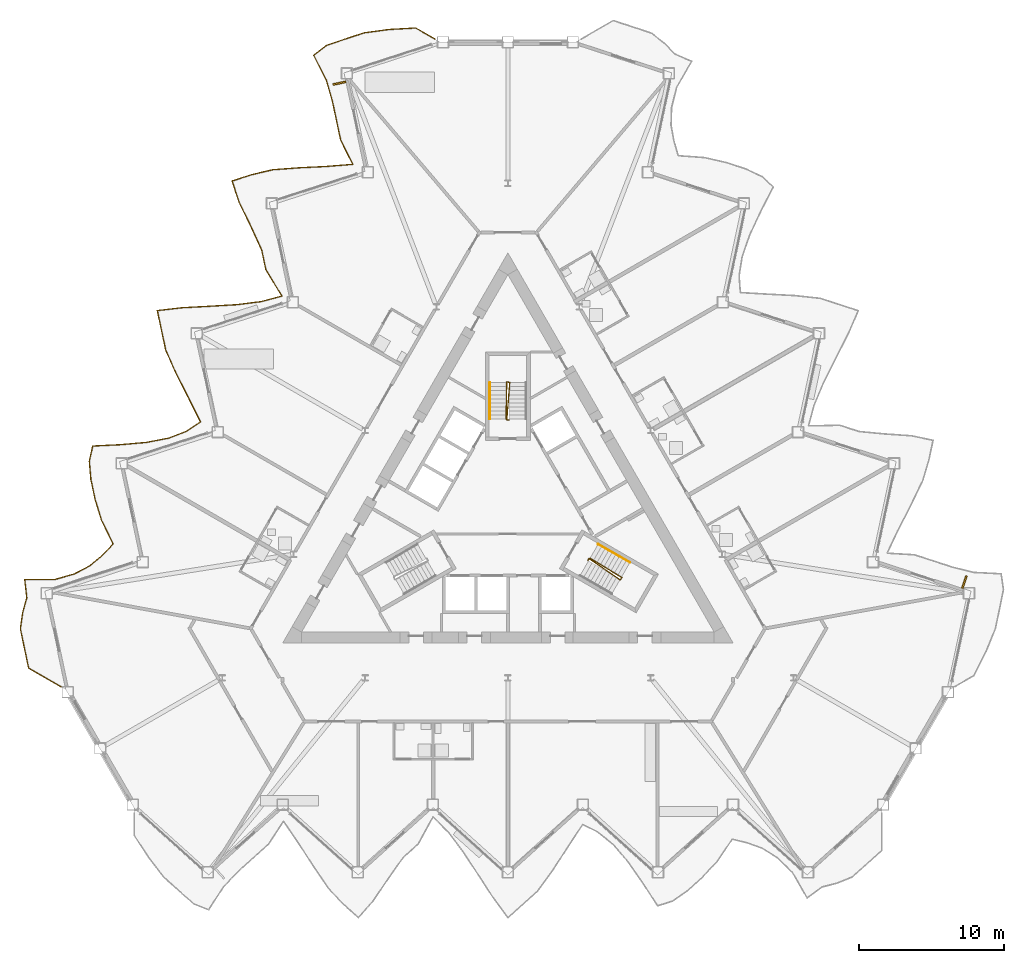
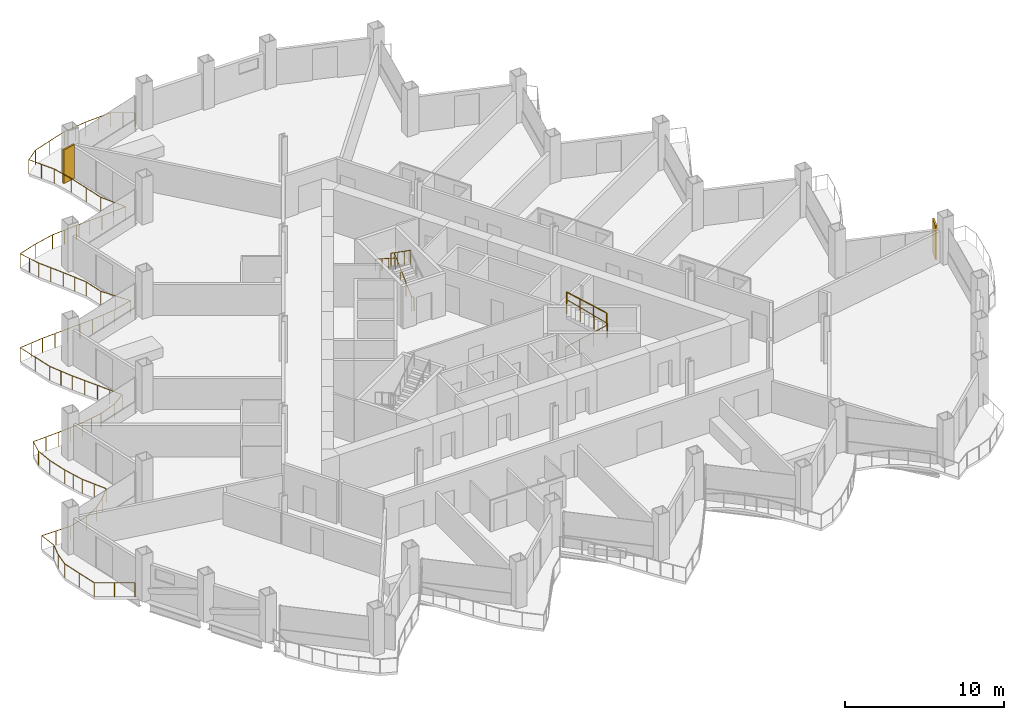
# One storey, part 21 of 24: 5 railings, 2 shading devices.
"""IFC4 building model written with IfcOpenShell, lengths in metres."""

from ifc_helpers import new_model, si_unit, direction, frame, origin, origin_2d, place, context, subcontext, project, spatial, rectangle, circle, extrude, material, layer, layer_set, type_object, element, save


model = new_model("IFC4")

# Units and contexts
model_context = context("Model", 3, precision=1e-05, world=origin(), true_north=direction((0.0, 1.0)))
body_context = subcontext(model_context, "Body", "Model", "MODEL_VIEW")
ifc_project = project(units=[si_unit("LENGTHUNIT", "METRE"), si_unit("AREAUNIT", "SQUARE_METRE"), si_unit("VOLUMEUNIT", "CUBIC_METRE"), si_unit("PLANEANGLEUNIT", "RADIAN"), si_unit("MASSUNIT", "GRAM", prefix="KILO")], contexts=[model_context])

# Site, building, storey
site_placement = place(None, origin())
site = spatial("IfcSite", under=ifc_project, at=site_placement, CompositionType="ELEMENT")
building_placement = place(site_placement, origin())
building = spatial("IfcBuilding", under=site, at=building_placement, Name="Cormorant Prow Tower", CompositionType="ELEMENT")
storey_placement = place(building_placement, frame((0.0, 0.0, 205.199951171875)))
storey = spatial("IfcBuildingStorey", under=building, at=storey_placement, Name="L45", CompositionType="ELEMENT", Elevation=205.199951171875)

# Railings
ifc_material_1 = material(Name="Aluminium 6063-T6", Category="aluminium")
railing_type_1 = type_object("IfcRailingType", Name="Balcony guard 1100", PredefinedType="GUARDRAIL", material=ifc_material_1)
railing_1_placement = place(storey_placement, frame((-5.02197265625, 32.62158203125, 0.0)))
element("IfcRailing", 1, at=railing_1_placement, inside=storey, type_object=railing_type_1, Name="Balcony guard WNW", PredefinedType="GUARDRAIL", context=body_context, shape_type="SweptSolid", body=[
    extrude(circle(Radius=0.02392578125, at=origin_2d()), frame((0.0, 0.0, 1.076171875), z_axis=(-0.866030456496, 0.499991248344, 0.0), x_axis=(-0.499991248344, -0.866030456496, 0.0)), (0.0, 0.0, 1.0), 1.52001953125),
    extrude(circle(Radius=0.02392578125, at=origin_2d()), frame((-1.31640625, 0.760009765625, 1.076171875), z_axis=(-0.9984555567, -0.055556289426, 0.0), x_axis=(0.055556289426, -0.9984555567, 0.0)), (0.0, 0.0, 1.0), 1.880859375),
    extrude(circle(Radius=0.02392578125, at=origin_2d()), frame((-3.1943359375, 0.655517578125, 1.076171875), z_axis=(-0.99086810661, -0.134834696212, 0.0), x_axis=(0.134834696212, -0.99086810661, 0.0)), (0.0, 0.0, 1.0), 1.68212890625),
    extrude(circle(Radius=0.02392578125, at=origin_2d()), frame((-4.861083984375, 0.4287109375, 1.076171875), z_axis=(-0.951087151367, -0.308922693412, 0.0), x_axis=(0.308922693412, -0.951087151367, 0.0)), (0.0, 0.0, 1.0), 1.385498046875),
    extrude(circle(Radius=0.02392578125, at=origin_2d()), frame((-6.1787109375, 0.000732421875, 1.076171875), z_axis=(-0.947266720756, -0.320446188537, 0.0), x_axis=(0.320446188537, -0.947266720756, 0.0)), (0.0, 0.0, 1.0), 1.37060546875),
    extrude(circle(Radius=0.02392578125, at=origin_2d()), frame((-7.47705078125, -0.4384765625, 1.076171875), z_axis=(-0.785147655602, -0.619308613619, 0.0), x_axis=(0.619308613619, -0.785147655602, 0.0)), (0.0, 0.0, 1.0), 1.108642578125),
    extrude(circle(Radius=0.02392578125, at=origin_2d()), frame((-8.347412109375, -1.125, 1.076171875), z_axis=(0.455437820788, -0.890267595387, 0.0), x_axis=(0.890267595387, 0.455437820788, 0.0)), (0.0, 0.0, 1.0), 1.8955078125),
    extrude(circle(Radius=0.02392578125, at=origin_2d()), frame((-7.484130859375, -2.8125, 1.076171875), z_axis=(0.279161718833, -0.960244101642, 0.0), x_axis=(0.960244101642, 0.279161718833, 0.0)), (0.0, 0.0, 1.0), 1.487548828125),
    extrude(circle(Radius=0.02392578125, at=origin_2d()), frame((-7.06884765625, -4.240966796875, 1.076171875), z_axis=(0.207928301643, -0.978144069847, 0.0), x_axis=(0.978144069847, 0.207928301643, 0.0)), (0.0, 0.0, 1.0), 1.385498046875),
    extrude(circle(Radius=0.02392578125, at=origin_2d()), frame((-6.78076171875, -5.59619140625, 1.076171875), z_axis=(0.207928301643, -0.978144069847, 0.0), x_axis=(0.978144069847, 0.207928301643, 0.0)), (0.0, 0.0, 1.0), 1.385498046875),
    extrude(circle(Radius=0.02392578125, at=origin_2d()), frame((-6.49267578125, -6.951416015625, 1.076171875), z_axis=(0.44726584542, -0.894401064132, 0.0), x_axis=(0.894401064132, 0.44726584542, 0.0)), (0.0, 0.0, 1.0), 1.868896484375),
    extrude(circle(Radius=0.02392578125, at=origin_2d()), frame((-5.65673828125, -8.623046875, 1.076171875), z_axis=(-0.996774040773, -0.080259028411, 0.0), x_axis=(0.080259028411, -0.996774040773, 0.0)), (0.0, 0.0, 1.0), 1.81298828125),
    extrude(circle(Radius=0.02392578125, at=origin_2d()), frame((-7.4638671875, -8.7685546875, 1.076171875), z_axis=(-0.998821477728, -0.048535096874, 0.0), x_axis=(0.048535096874, -0.998821477728, 0.0)), (0.0, 0.0, 1.0), 1.9013671875),
    extrude(circle(Radius=0.02392578125, at=origin_2d()), frame((-9.363037109375, -8.86083984375, 1.076171875), z_axis=(-0.997220184619, -0.074511095744, 0.0), x_axis=(0.074511095744, -0.997220184619, 0.0)), (0.0, 0.0, 1.0), 1.828369140625),
    extrude(circle(Radius=0.02392578125, at=origin_2d()), frame((-11.186279296875, -8.9970703125, 1.076171875), z_axis=(-0.972848140614, -0.231444367623, 0.0), x_axis=(0.231444367623, -0.972848140614, 0.0)), (0.0, 0.0, 1.0), 1.4990234375),
    extrude(circle(Radius=0.02392578125, at=origin_2d()), frame((-12.64453125, -9.343994140625, 1.076171875), z_axis=(-0.951035363693, -0.309082087811, 0.0), x_axis=(0.309082087811, -0.951035363693, 0.0)), (0.0, 0.0, 1.0), 1.385498046875),
    extrude(circle(Radius=0.02392578125, at=origin_2d()), frame((-13.962158203125, -9.772216796875, 1.076171875), z_axis=(0.313004303967, -0.949751707394, 0.0), x_axis=(0.949751707394, 0.313004303967, 0.0)), (0.0, 0.0, 1.0), 1.5458984375),
    extrude(circle(Radius=0.02392578125, at=origin_2d()), frame((-13.478271484375, -11.240478515625, 1.076171875), z_axis=(0.44005896469, -0.897968878969, 0.0), x_axis=(0.897968878969, 0.44005896469, 0.0)), (0.0, 0.0, 1.0), 1.846435546875),
    extrude(circle(Radius=0.02392578125, at=origin_2d()), frame((-12.665771484375, -12.8984375, 1.076171875), z_axis=(0.415294824276, -0.909686874111, 0.0), x_axis=(0.909686874111, 0.415294824276, 0.0)), (0.0, 0.0, 1.0), 1.77490234375),
    extrude(circle(Radius=0.02392578125, at=origin_2d()), frame((-11.9287109375, -14.512939453125, 1.076171875), z_axis=(0.207928301643, -0.978144069847, 0.0), x_axis=(0.978144069847, 0.207928301643, 0.0)), (0.0, 0.0, 1.0), 1.385498046875),
    extrude(circle(Radius=0.02392578125, at=origin_2d()), frame((-11.640625, -15.8681640625, 1.076171875), z_axis=(0.517236143974, -0.855842725836, 0.0), x_axis=(0.855842725836, 0.517236143974, 0.0)), (0.0, 0.0, 1.0), 2.133544921875),
    extrude(circle(Radius=0.02392578125, at=origin_2d()), frame((-10.537109375, -17.694091796875, 1.076171875), z_axis=(-0.966273834904, -0.257516748931, 0.0), x_axis=(0.257516748931, -0.966273834904, 0.0)), (0.0, 0.0, 1.0), 1.4580078125),
    extrude(circle(Radius=0.02392578125, at=origin_2d()), frame((-11.946044921875, -18.069580078125, 1.076171875), z_axis=(-0.992313053223, -0.123752997554, 0.0), x_axis=(0.123752997554, -0.992313053223, 0.0)), (0.0, 0.0, 1.0), 1.70654296875),
    extrude(circle(Radius=0.02392578125, at=origin_2d()), frame((-13.639404296875, -18.28076171875, 1.076171875), z_axis=(-0.998277069876, -0.058676160063, 0.0), x_axis=(0.058676160063, -0.998277069876, 0.0)), (0.0, 0.0, 1.0), 1.872314453125),
    extrude(circle(Radius=0.02392578125, at=origin_2d()), frame((-15.508544921875, -18.390625, 1.076171875), z_axis=(-0.998586941007, -0.053142461835, 0.0), x_axis=(0.053142461835, -0.998586941007, 0.0)), (0.0, 0.0, 1.0), 1.88818359375),
    extrude(circle(Radius=0.02392578125, at=origin_2d()), frame((-17.39404296875, -18.490966796875, 1.076171875), z_axis=(-0.993409554821, -0.114618743628, 0.0), x_axis=(0.114618743628, -0.993409554821, 0.0)), (0.0, 0.0, 1.0), 1.7275390625),
    extrude(circle(Radius=0.02392578125, at=origin_2d()), frame((-19.110107421875, -18.68896484375, 1.076171875), z_axis=(0.207928301643, -0.978144069847, 0.0), x_axis=(0.978144069847, 0.207928301643, 0.0)), (0.0, 0.0, 1.0), 1.385498046875),
    extrude(circle(Radius=0.02392578125, at=origin_2d()), frame((-18.822021484375, -20.044189453125, 1.076171875), z_axis=(0.207964146033, -0.978136449563, 0.0), x_axis=(0.978136449563, 0.207964146033, 0.0)), (0.0, 0.0, 1.0), 1.38525390625),
    extrude(circle(Radius=0.02392578125, at=origin_2d()), frame((-18.533935546875, -21.399169921875, 1.076171875), z_axis=(0.403447126772, -0.915002959503, 0.0), x_axis=(0.915002959503, 0.403447126772, 0.0)), (0.0, 0.0, 1.0), 1.743408203125),
    extrude(circle(Radius=0.02392578125, at=origin_2d()), frame((-17.83056640625, -22.994384765625, 1.076171875), z_axis=(0.453918041174, -0.89104343996, 0.0), x_axis=(0.89104343996, 0.453918041174, 0.0)), (0.0, 0.0, 1.0), 1.889892578125),
    extrude(circle(Radius=0.02392578125, at=origin_2d()), frame((-16.97265625, -24.678466796875, 1.076171875), z_axis=(0.44726584542, -0.894401064132, 0.0), x_axis=(0.894401064132, 0.44726584542, 0.0)), (0.0, 0.0, 1.0), 1.868896484375),
    extrude(circle(Radius=0.02392578125, at=origin_2d()), frame((-16.13671875, -26.35009765625, 1.076171875), z_axis=(-0.829120379703, -0.559070117214, 0.0), x_axis=(0.559070117214, -0.829120379703, 0.0)), (0.0, 0.0, 1.0), 1.1455078125),
    extrude(circle(Radius=0.02392578125, at=origin_2d()), frame((-17.08642578125, -26.990478515625, 1.076171875), z_axis=(-0.933364610061, -0.358929665374, 0.0), x_axis=(0.358929665374, -0.933364610061, 0.0)), (0.0, 0.0, 1.0), 1.32421875),
    extrude(circle(Radius=0.02392578125, at=origin_2d()), frame((-18.322509765625, -27.4658203125, 1.076171875), z_axis=(-0.982152144726, -0.188088183068, 0.0), x_axis=(0.188088183068, -0.982152144726, 0.0)), (0.0, 0.0, 1.0), 1.574462890625),
    extrude(circle(Radius=0.02392578125, at=origin_2d()), frame((-19.868896484375, -27.761962890625, 1.076171875), z_axis=(-0.996247213406, -0.086553392654, 0.0), x_axis=(0.086553392654, -0.996247213406, 0.0)), (0.0, 0.0, 1.0), 1.796875),
    extrude(circle(Radius=0.02392578125, at=origin_2d()), frame((-21.658935546875, -27.91748046875, 1.076171875), z_axis=(-0.99879428368, -0.049091535816, 0.0), x_axis=(0.049091535816, -0.99879428368, 0.0)), (0.0, 0.0, 1.0), 1.899658203125),
    extrude(circle(Radius=0.02392578125, at=origin_2d()), frame((-23.556396484375, -28.0107421875, 1.076171875), z_axis=(-0.214728111885, -0.976673864689, 0.0), x_axis=(0.976673864689, -0.214728111885, 0.0)), (0.0, 0.0, 1.0), 1.080078125),
    extrude(circle(Radius=0.02392578125, at=origin_2d()), frame((-23.788330078125, -29.065673828125, 1.076171875), z_axis=(0.084639535599, -0.99641163633, 0.0), x_axis=(0.99641163633, 0.084639535599, 0.0)), (0.0, 0.0, 1.0), 1.254638671875),
    extrude(circle(Radius=0.02392578125, at=origin_2d()), frame((-23.68212890625, -30.31591796875, 1.076171875), z_axis=(0.207928301643, -0.978144069847, 0.0), x_axis=(0.978144069847, 0.207928301643, 0.0)), (0.0, 0.0, 1.0), 1.385498046875),
    extrude(circle(Radius=0.02392578125, at=origin_2d()), frame((-23.39404296875, -31.671142578125, 1.076171875), z_axis=(0.29275650146, -0.956187027131, 0.0), x_axis=(0.956187027131, 0.29275650146, 0.0)), (0.0, 0.0, 1.0), 1.51025390625),
    extrude(circle(Radius=0.02392578125, at=origin_2d()), frame((-22.951904296875, -33.115234375, 1.076171875), z_axis=(0.435668848136, -0.900107024061, 0.0), x_axis=(0.900107024061, 0.435668848136, 0.0)), (0.0, 0.0, 1.0), 1.8330078125),
    extrude(circle(Radius=0.02392578125, at=origin_2d()), frame((-22.1533203125, -34.76513671875, 1.076171875), z_axis=(-0.69422073273, -0.719762165057, 0.0), x_axis=(0.719762165057, -0.69422073273, 0.0)), (0.0, 0.0, 1.0), 1.06103515625),
    extrude(circle(Radius=0.02392578125, at=origin_2d()), frame((-22.889892578125, -35.52880859375, 1.076171875), z_axis=(-0.762462405511, -0.647032518644, 0.0), x_axis=(0.647032518644, -0.762462405511, 0.0)), (0.0, 0.0, 1.0), 1.093505859375),
    extrude(circle(Radius=0.02392578125, at=origin_2d()), frame((-23.7236328125, -36.236328125, 1.076171875), z_axis=(-0.88228050854, -0.470724021322, 0.0), x_axis=(0.470724021322, -0.88228050854, 0.0)), (0.0, 0.0, 1.0), 1.213134765625),
    extrude(circle(Radius=0.02392578125, at=origin_2d()), frame((-24.7939453125, -36.807373046875, 1.076171875), z_axis=(-0.961735706749, -0.273978886714, 0.0), x_axis=(0.273978886714, -0.961735706749, 0.0)), (0.0, 0.0, 1.0), 1.433837890625),
    extrude(circle(Radius=0.02392578125, at=origin_2d()), frame((-26.1728515625, -37.2001953125, 1.076171875), z_axis=(-0.999998992826, 0.001419277104, 0.0), x_axis=(-0.001419277104, -0.999998992826, 0.0)), (0.0, 0.0, 1.0), 2.064208984375),
    extrude(circle(Radius=0.02392578125, at=origin_2d()), frame((-28.237060546875, -37.197265625, 1.076171875), z_axis=(0.11110196794, -0.993809012195, 0.0), x_axis=(0.993809012195, 0.11110196794, 0.0)), (0.0, 0.0, 1.0), 1.27880859375),
    extrude(circle(Radius=0.02392578125, at=origin_2d()), frame((-28.094970703125, -38.46826171875, 1.076171875), z_axis=(-0.268709773561, -0.963221188302, 0.0), x_axis=(0.963221188302, -0.268709773561, 0.0)), (0.0, 0.0, 1.0), 1.06298828125),
    extrude(circle(Radius=0.02392578125, at=origin_2d()), frame((-28.380615234375, -39.4921875, 1.076171875), z_axis=(-0.137544419977, -0.990495599452, 0.0), x_axis=(0.990495599452, -0.137544419977, 0.0)), (0.0, 0.0, 1.0), 1.111083984375),
    extrude(circle(Radius=0.02392578125, at=origin_2d()), frame((-28.533447265625, -40.5927734375, 1.076171875), z_axis=(0.202751987267, -0.979230121912, 0.0), x_axis=(0.979230121912, 0.202751987267, 0.0)), (0.0, 0.0, 1.0), 1.378662109375),
    extrude(circle(Radius=0.02392578125, at=origin_2d()), frame((-28.25390625, -41.94287109375, 1.076171875), z_axis=(0.207928301643, -0.978144069847, 0.0), x_axis=(0.978144069847, 0.207928301643, 0.0)), (0.0, 0.0, 1.0), 1.385498046875),
    extrude(circle(Radius=0.02392578125, at=origin_2d()), frame((-27.9658203125, -43.298095703125, 1.076171875), z_axis=(0.86598941085, -0.50006233641, 0.0), x_axis=(0.50006233641, 0.86598941085, 0.0)), (0.0, 0.0, 1.0), 2.570068359375),
    extrude(circle(Radius=0.02099609375, at=origin_2d()), origin(), (0.0, 0.0, 1.0), 1.052001953125),
    extrude(circle(Radius=0.02099609375, at=origin_2d()), frame((-0.658203125, 0.3798828125, 0.0)), (0.0, 0.0, 1.0), 1.052001953125),
    extrude(circle(Radius=0.02099609375, at=origin_2d()), frame((-1.31640625, 0.760009765625, 0.0)), (0.0, 0.0, 1.0), 1.052001953125),
    extrude(circle(Radius=0.02099609375, at=origin_2d()), frame((-2.25537109375, 0.707763671875, 0.0)), (0.0, 0.0, 1.0), 1.052001953125),
    extrude(circle(Radius=0.02099609375, at=origin_2d()), frame((-3.1943359375, 0.655517578125, 0.0)), (0.0, 0.0, 1.0), 1.052001953125),
    extrude(circle(Radius=0.02099609375, at=origin_2d()), frame((-4.02783203125, 0.5419921875, 0.0)), (0.0, 0.0, 1.0), 1.052001953125),
    extrude(circle(Radius=0.02099609375, at=origin_2d()), frame((-4.861083984375, 0.4287109375, 0.0)), (0.0, 0.0, 1.0), 1.052001953125),
    extrude(circle(Radius=0.02099609375, at=origin_2d()), frame((-6.1787109375, 0.000732421875, 0.0)), (0.0, 0.0, 1.0), 1.052001953125),
    extrude(circle(Radius=0.02099609375, at=origin_2d()), frame((-7.47705078125, -0.4384765625, 0.0)), (0.0, 0.0, 1.0), 1.052001953125),
    extrude(circle(Radius=0.02099609375, at=origin_2d()), frame((-8.347412109375, -1.125, 0.0)), (0.0, 0.0, 1.0), 1.052001953125),
    extrude(circle(Radius=0.02099609375, at=origin_2d()), frame((-7.915771484375, -1.96875, 0.0)), (0.0, 0.0, 1.0), 1.052001953125),
    extrude(circle(Radius=0.02099609375, at=origin_2d()), frame((-7.484130859375, -2.8125, 0.0)), (0.0, 0.0, 1.0), 1.052001953125),
    extrude(circle(Radius=0.02099609375, at=origin_2d()), frame((-7.06884765625, -4.240966796875, 0.0)), (0.0, 0.0, 1.0), 1.052001953125),
    extrude(circle(Radius=0.02099609375, at=origin_2d()), frame((-6.78076171875, -5.59619140625, 0.0)), (0.0, 0.0, 1.0), 1.052001953125),
    extrude(circle(Radius=0.02099609375, at=origin_2d()), frame((-6.49267578125, -6.951416015625, 0.0)), (0.0, 0.0, 1.0), 1.052001953125),
    extrude(circle(Radius=0.02099609375, at=origin_2d()), frame((-6.07470703125, -7.787109375, 0.0)), (0.0, 0.0, 1.0), 1.052001953125),
    extrude(circle(Radius=0.02099609375, at=origin_2d()), frame((-5.65673828125, -8.623046875, 0.0)), (0.0, 0.0, 1.0), 1.052001953125),
    extrude(circle(Radius=0.02099609375, at=origin_2d()), frame((-6.560302734375, -8.69580078125, 0.0)), (0.0, 0.0, 1.0), 1.052001953125),
    extrude(circle(Radius=0.02099609375, at=origin_2d()), frame((-7.4638671875, -8.7685546875, 0.0)), (0.0, 0.0, 1.0), 1.052001953125),
    extrude(circle(Radius=0.02099609375, at=origin_2d()), frame((-8.41357421875, -8.814697265625, 0.0)), (0.0, 0.0, 1.0), 1.052001953125),
    extrude(circle(Radius=0.02099609375, at=origin_2d()), frame((-9.363037109375, -8.86083984375, 0.0)), (0.0, 0.0, 1.0), 1.052001953125),
    extrude(circle(Radius=0.02099609375, at=origin_2d()), frame((-10.274658203125, -8.928955078125, 0.0)), (0.0, 0.0, 1.0), 1.052001953125),
    extrude(circle(Radius=0.02099609375, at=origin_2d()), frame((-11.186279296875, -8.9970703125, 0.0)), (0.0, 0.0, 1.0), 1.052001953125),
    extrude(circle(Radius=0.02099609375, at=origin_2d()), frame((-12.64453125, -9.343994140625, 0.0)), (0.0, 0.0, 1.0), 1.052001953125),
    extrude(circle(Radius=0.02099609375, at=origin_2d()), frame((-13.962158203125, -9.772216796875, 0.0)), (0.0, 0.0, 1.0), 1.052001953125),
    extrude(circle(Radius=0.02099609375, at=origin_2d()), frame((-13.72021484375, -10.50634765625, 0.0)), (0.0, 0.0, 1.0), 1.052001953125),
    extrude(circle(Radius=0.02099609375, at=origin_2d()), frame((-13.478271484375, -11.240478515625, 0.0)), (0.0, 0.0, 1.0), 1.052001953125),
    extrude(circle(Radius=0.02099609375, at=origin_2d()), frame((-13.072021484375, -12.0693359375, 0.0)), (0.0, 0.0, 1.0), 1.052001953125),
    extrude(circle(Radius=0.02099609375, at=origin_2d()), frame((-12.665771484375, -12.8984375, 0.0)), (0.0, 0.0, 1.0), 1.052001953125),
    extrude(circle(Radius=0.02099609375, at=origin_2d()), frame((-12.29736328125, -13.70556640625, 0.0)), (0.0, 0.0, 1.0), 1.052001953125),
    extrude(circle(Radius=0.02099609375, at=origin_2d()), frame((-11.9287109375, -14.512939453125, 0.0)), (0.0, 0.0, 1.0), 1.052001953125),
    extrude(circle(Radius=0.02099609375, at=origin_2d()), frame((-11.640625, -15.8681640625, 0.0)), (0.0, 0.0, 1.0), 1.052001953125),
    extrude(circle(Radius=0.02099609375, at=origin_2d()), frame((-11.0888671875, -16.78125, 0.0)), (0.0, 0.0, 1.0), 1.052001953125),
    extrude(circle(Radius=0.02099609375, at=origin_2d()), frame((-10.537109375, -17.694091796875, 0.0)), (0.0, 0.0, 1.0), 1.052001953125),
    extrude(circle(Radius=0.02099609375, at=origin_2d()), frame((-11.946044921875, -18.069580078125, 0.0)), (0.0, 0.0, 1.0), 1.052001953125),
    extrude(circle(Radius=0.02099609375, at=origin_2d()), frame((-12.792724609375, -18.17529296875, 0.0)), (0.0, 0.0, 1.0), 1.052001953125),
    extrude(circle(Radius=0.02099609375, at=origin_2d()), frame((-13.639404296875, -18.28076171875, 0.0)), (0.0, 0.0, 1.0), 1.052001953125),
    extrude(circle(Radius=0.02099609375, at=origin_2d()), frame((-14.573974609375, -18.335693359375, 0.0)), (0.0, 0.0, 1.0), 1.052001953125),
    extrude(circle(Radius=0.02099609375, at=origin_2d()), frame((-15.508544921875, -18.390625, 0.0)), (0.0, 0.0, 1.0), 1.052001953125),
    extrude(circle(Radius=0.02099609375, at=origin_2d()), frame((-16.451171875, -18.44091796875, 0.0)), (0.0, 0.0, 1.0), 1.052001953125),
    extrude(circle(Radius=0.02099609375, at=origin_2d()), frame((-17.39404296875, -18.490966796875, 0.0)), (0.0, 0.0, 1.0), 1.052001953125),
    extrude(circle(Radius=0.02099609375, at=origin_2d()), frame((-18.251953125, -18.58984375, 0.0)), (0.0, 0.0, 1.0), 1.052001953125),
    extrude(circle(Radius=0.02099609375, at=origin_2d()), frame((-19.110107421875, -18.68896484375, 0.0)), (0.0, 0.0, 1.0), 1.052001953125),
    extrude(circle(Radius=0.02099609375, at=origin_2d()), frame((-18.822021484375, -20.044189453125, 0.0)), (0.0, 0.0, 1.0), 1.052001953125),
    extrude(circle(Radius=0.02099609375, at=origin_2d()), frame((-18.533935546875, -21.399169921875, 0.0)), (0.0, 0.0, 1.0), 1.052001953125),
    extrude(circle(Radius=0.02099609375, at=origin_2d()), frame((-18.18212890625, -22.19677734375, 0.0)), (0.0, 0.0, 1.0), 1.052001953125),
    extrude(circle(Radius=0.02099609375, at=origin_2d()), frame((-17.83056640625, -22.994384765625, 0.0)), (0.0, 0.0, 1.0), 1.052001953125),
    extrude(circle(Radius=0.02099609375, at=origin_2d()), frame((-17.401611328125, -23.83642578125, 0.0)), (0.0, 0.0, 1.0), 1.052001953125),
    extrude(circle(Radius=0.02099609375, at=origin_2d()), frame((-16.97265625, -24.678466796875, 0.0)), (0.0, 0.0, 1.0), 1.052001953125),
    extrude(circle(Radius=0.02099609375, at=origin_2d()), frame((-16.5546875, -25.51416015625, 0.0)), (0.0, 0.0, 1.0), 1.052001953125),
    extrude(circle(Radius=0.02099609375, at=origin_2d()), frame((-16.13671875, -26.35009765625, 0.0)), (0.0, 0.0, 1.0), 1.052001953125),
    extrude(circle(Radius=0.02099609375, at=origin_2d()), frame((-17.08642578125, -26.990478515625, 0.0)), (0.0, 0.0, 1.0), 1.052001953125),
    extrude(circle(Radius=0.02099609375, at=origin_2d()), frame((-18.322509765625, -27.4658203125, 0.0)), (0.0, 0.0, 1.0), 1.052001953125),
    extrude(circle(Radius=0.02099609375, at=origin_2d()), frame((-19.095703125, -27.61376953125, 0.0)), (0.0, 0.0, 1.0), 1.052001953125),
    extrude(circle(Radius=0.02099609375, at=origin_2d()), frame((-19.868896484375, -27.761962890625, 0.0)), (0.0, 0.0, 1.0), 1.052001953125),
    extrude(circle(Radius=0.02099609375, at=origin_2d()), frame((-20.763916015625, -27.83984375, 0.0)), (0.0, 0.0, 1.0), 1.052001953125),
    extrude(circle(Radius=0.02099609375, at=origin_2d()), frame((-21.658935546875, -27.91748046875, 0.0)), (0.0, 0.0, 1.0), 1.052001953125),
    extrude(circle(Radius=0.02099609375, at=origin_2d()), frame((-22.607666015625, -27.964111328125, 0.0)), (0.0, 0.0, 1.0), 1.052001953125),
    extrude(circle(Radius=0.02099609375, at=origin_2d()), frame((-23.556396484375, -28.0107421875, 0.0)), (0.0, 0.0, 1.0), 1.052001953125),
    extrude(circle(Radius=0.02099609375, at=origin_2d()), frame((-23.788330078125, -29.065673828125, 0.0)), (0.0, 0.0, 1.0), 1.052001953125),
    extrude(circle(Radius=0.02099609375, at=origin_2d()), frame((-23.68212890625, -30.31591796875, 0.0)), (0.0, 0.0, 1.0), 1.052001953125),
    extrude(circle(Radius=0.02099609375, at=origin_2d()), frame((-23.39404296875, -31.671142578125, 0.0)), (0.0, 0.0, 1.0), 1.052001953125),
    extrude(circle(Radius=0.02099609375, at=origin_2d()), frame((-23.1728515625, -32.39306640625, 0.0)), (0.0, 0.0, 1.0), 1.052001953125),
    extrude(circle(Radius=0.02099609375, at=origin_2d()), frame((-22.951904296875, -33.115234375, 0.0)), (0.0, 0.0, 1.0), 1.052001953125),
    extrude(circle(Radius=0.02099609375, at=origin_2d()), frame((-22.552734375, -33.940185546875, 0.0)), (0.0, 0.0, 1.0), 1.052001953125),
    extrude(circle(Radius=0.02099609375, at=origin_2d()), frame((-22.1533203125, -34.76513671875, 0.0)), (0.0, 0.0, 1.0), 1.052001953125),
    extrude(circle(Radius=0.02099609375, at=origin_2d()), frame((-22.889892578125, -35.52880859375, 0.0)), (0.0, 0.0, 1.0), 1.052001953125),
    extrude(circle(Radius=0.02099609375, at=origin_2d()), frame((-23.7236328125, -36.236328125, 0.0)), (0.0, 0.0, 1.0), 1.052001953125),
    extrude(circle(Radius=0.02099609375, at=origin_2d()), frame((-24.7939453125, -36.807373046875, 0.0)), (0.0, 0.0, 1.0), 1.052001953125),
    extrude(circle(Radius=0.02099609375, at=origin_2d()), frame((-26.1728515625, -37.2001953125, 0.0)), (0.0, 0.0, 1.0), 1.052001953125),
    extrude(circle(Radius=0.02099609375, at=origin_2d()), frame((-27.205078125, -37.19873046875, 0.0)), (0.0, 0.0, 1.0), 1.052001953125),
    extrude(circle(Radius=0.02099609375, at=origin_2d()), frame((-28.237060546875, -37.197265625, 0.0)), (0.0, 0.0, 1.0), 1.052001953125),
    extrude(circle(Radius=0.02099609375, at=origin_2d()), frame((-28.094970703125, -38.46826171875, 0.0)), (0.0, 0.0, 1.0), 1.052001953125),
    extrude(circle(Radius=0.02099609375, at=origin_2d()), frame((-28.380615234375, -39.4921875, 0.0)), (0.0, 0.0, 1.0), 1.052001953125),
    extrude(circle(Radius=0.02099609375, at=origin_2d()), frame((-28.533447265625, -40.5927734375, 0.0)), (0.0, 0.0, 1.0), 1.052001953125),
    extrude(circle(Radius=0.02099609375, at=origin_2d()), frame((-28.25390625, -41.94287109375, 0.0)), (0.0, 0.0, 1.0), 1.052001953125),
    extrude(circle(Radius=0.02099609375, at=origin_2d()), frame((-27.9658203125, -43.298095703125, 0.0)), (0.0, 0.0, 1.0), 1.052001953125),
    extrude(circle(Radius=0.02099609375, at=origin_2d()), frame((-26.85302734375, -43.940673828125, 0.0)), (0.0, 0.0, 1.0), 1.052001953125),
    extrude(circle(Radius=0.02099609375, at=origin_2d()), frame((-25.740234375, -44.583251953125, 0.0)), (0.0, 0.0, 1.0), 1.052001953125),
])
ifc_material_2 = material(Name="Stainless steel", Category="steel")
railing_type_2 = type_object("IfcRailingType", Name="Stair guard 1100", PredefinedType="GUARDRAIL", material=ifc_material_2)
railing_2_placement = place(storey_placement, frame((5.510009765625, -3.267822265625, 0.0)))
element("IfcRailing", 2, at=railing_2_placement, inside=storey, type_object=railing_type_2, Name="L45 ST2 stair guard 1", PredefinedType="GUARDRAIL", context=body_context, shape_type="SweptSolid", body=[
    extrude(circle(Radius=0.02392578125, at=origin_2d()), frame((0.0, 0.0, 1.076171875), z_axis=(0.501036270542, 0.865426285481, 0.0), x_axis=(-0.865426285481, 0.501036270542, 0.0)), (0.0, 0.0, 1.0), 0.150146484375),
    extrude(circle(Radius=0.02392578125, at=origin_2d()), frame((0.0751953125, 0.1298828125, 1.076171875), z_axis=(0.676058237057, -0.463829066155, 0.572545070276), x_axis=(0.565732651216, 0.824588726183, 0.0)), (0.0, 0.0, 1.0), 3.14404296875),
    extrude(circle(Radius=0.02392578125, at=origin_2d()), frame((2.20068359375, -1.328369140625, 2.8759765625), z_axis=(0.695164929852, 0.718850276695, 0.0), x_axis=(-0.718850276695, 0.695164929852, 0.0)), (0.0, 0.0, 1.0), 0.2060546875),
    extrude(circle(Radius=0.02392578125, at=origin_2d()), frame((2.343994140625, -1.18017578125, 2.8759765625), z_axis=(-0.70127624584, 0.423301980654, 0.573608804147), x_axis=(-0.516770599887, -0.856123908726, 0.0)), (0.0, 0.0, 1.0), 3.13818359375),
    extrude(circle(Radius=0.02099609375, at=origin_2d()), origin(), (0.0, 0.0, 1.0), 1.052001953125),
    extrude(circle(Radius=0.02099609375, at=origin_2d()), frame((0.0751953125, 0.1298828125, 0.0)), (0.0, 0.0, 1.0), 1.052001953125),
    extrude(circle(Radius=0.02099609375, at=origin_2d()), frame((0.78369140625, -0.356201171875, 0.60009765625)), (0.0, 0.0, 1.0), 1.052001953125),
    extrude(circle(Radius=0.02099609375, at=origin_2d()), frame((1.4921875, -0.84228515625, 1.199951171875)), (0.0, 0.0, 1.0), 1.052001953125),
    extrude(circle(Radius=0.02099609375, at=origin_2d()), frame((2.20068359375, -1.328369140625, 1.800048828125)), (0.0, 0.0, 1.0), 1.052001953125),
    extrude(circle(Radius=0.02099609375, at=origin_2d()), frame((2.343994140625, -1.18017578125, 1.800048828125)), (0.0, 0.0, 1.0), 1.052001953125),
    extrude(circle(Radius=0.02099609375, at=origin_2d()), frame((1.6103515625, -0.7373046875, 2.400146484375)), (0.0, 0.0, 1.0), 1.052001953125),
    extrude(circle(Radius=0.02099609375, at=origin_2d()), frame((0.876953125, -0.294677734375, 3.0)), (0.0, 0.0, 1.0), 1.052001953125),
    extrude(circle(Radius=0.02099609375, at=origin_2d()), frame((0.143310546875, 0.148193359375, 3.60009765625)), (0.0, 0.0, 1.0), 1.052001953125),
])
railing_3_placement = place(storey_placement, frame((0.074951171875, 6.40576171875, 0.0)))
element("IfcRailing", 3, at=railing_3_placement, inside=storey, type_object=railing_type_2, Name="L45 ST3 stair guard 1", PredefinedType="GUARDRAIL", context=body_context, shape_type="SweptSolid", body=[
    extrude(circle(Radius=0.02392578125, at=origin_2d()), frame((0.0, 0.0, 1.076171875), z_axis=(-1.0, 0.0, 0.0), x_axis=(0.0, -1.0, 0.0)), (0.0, 0.0, 1.0), 0.14990234375),
    extrude(circle(Radius=0.02392578125, at=origin_2d()), frame((-0.14990234375, 0.0, 1.076171875), z_axis=(0.063595540489, 0.817423998443, 0.572515164864), x_axis=(-0.996987254287, 0.077565551559, 0.0)), (0.0, 0.0, 1.0), 3.14404296875),
    extrude(circle(Radius=0.02392578125, at=origin_2d()), frame((0.050048828125, 2.570068359375, 2.8759765625), z_axis=(-0.970072785993, 0.242814311512, 0.0), x_axis=(-0.242814311512, -0.970072785993, 0.0)), (0.0, 0.0, 1.0), 0.2060546875),
    extrude(circle(Radius=0.02392578125, at=origin_2d()), frame((-0.14990234375, 2.6201171875, 2.8759765625), z_axis=(-0.01594855688, -0.818977845239, 0.573603462805), x_axis=(0.999810440751, -0.019470042781, 0.0)), (0.0, 0.0, 1.0), 3.13818359375),
    extrude(circle(Radius=0.02099609375, at=origin_2d()), origin(), (0.0, 0.0, 1.0), 1.052001953125),
    extrude(circle(Radius=0.02099609375, at=origin_2d()), frame((-0.14990234375, 0.0, 0.0)), (0.0, 0.0, 1.0), 1.052001953125),
    extrude(circle(Radius=0.02099609375, at=origin_2d()), frame((-0.083251953125, 0.856689453125, 0.60009765625)), (0.0, 0.0, 1.0), 1.052001953125),
    extrude(circle(Radius=0.02099609375, at=origin_2d()), frame((-0.0166015625, 1.71337890625, 1.199951171875)), (0.0, 0.0, 1.0), 1.052001953125),
    extrude(circle(Radius=0.02099609375, at=origin_2d()), frame((0.050048828125, 2.570068359375, 1.800048828125)), (0.0, 0.0, 1.0), 1.052001953125),
    extrude(circle(Radius=0.02099609375, at=origin_2d()), frame((-0.14990234375, 2.6201171875, 1.800048828125)), (0.0, 0.0, 1.0), 1.052001953125),
    extrude(circle(Radius=0.02099609375, at=origin_2d()), frame((-0.16650390625, 1.763427734375, 2.400146484375)), (0.0, 0.0, 1.0), 1.052001953125),
    extrude(circle(Radius=0.02099609375, at=origin_2d()), frame((-0.183349609375, 0.90673828125, 3.0)), (0.0, 0.0, 1.0), 1.052001953125),
    extrude(circle(Radius=0.02099609375, at=origin_2d()), frame((-0.199951171875, 0.050048828125, 3.60009765625)), (0.0, 0.0, 1.0), 1.052001953125),
])
ifc_material_3 = material(Name="Stainless steel", Category="steel")
railing_type_3 = type_object("IfcRailingType", Name="Stair handrail 900", PredefinedType="HANDRAIL", material=ifc_material_3)
railing_4_placement = place(storey_placement, frame((8.395263671875, -3.41064453125, 1.97998046875)))
element("IfcRailing", 4, at=railing_4_placement, inside=storey, type_object=railing_type_3, Name="L45 ST2 stair handrail 2", PredefinedType="HANDRAIL", context=body_context, shape_type="SweptSolid", body=[
    extrude(circle(Radius=0.02392578125, at=origin_2d()), frame((0.0, 0.0, 0.8759765625), z_axis=(-0.728463801763, 0.420584145978, 0.540785970299), x_axis=(-0.500004791531, -0.866022637375, 0.0)), (0.0, 0.0, 1.0), 2.995849609375),
    extrude(circle(Radius=0.02099609375, at=origin_2d()), origin(), (0.0, 0.0, 1.0), 0.851806640625),
    extrude(circle(Radius=0.02099609375, at=origin_2d()), frame((-0.7275390625, 0.419921875, 0.5400390625)), (0.0, 0.0, 1.0), 0.851806640625),
    extrude(circle(Radius=0.02099609375, at=origin_2d()), frame((-1.454833984375, 0.840087890625, 1.080078125)), (0.0, 0.0, 1.0), 0.851806640625),
    extrude(circle(Radius=0.02099609375, at=origin_2d()), frame((-2.182373046875, 1.260009765625, 1.6201171875)), (0.0, 0.0, 1.0), 0.851806640625),
])
railing_5_placement = place(storey_placement, frame((-1.243896484375, 8.975830078125, 1.97998046875)))
element("IfcRailing", 5, at=railing_5_placement, inside=storey, type_object=railing_type_3, Name="L45 ST3 stair handrail 2", PredefinedType="HANDRAIL", context=body_context, shape_type="SweptSolid", body=[
    extrude(circle(Radius=0.02392578125, at=origin_2d()), frame((0.0, 0.0, 0.8759765625), z_axis=(0.0, -0.841162588446, 0.540782303519), x_axis=(1.0, 0.0, 0.0)), (0.0, 0.0, 1.0), 2.995849609375),
    extrude(circle(Radius=0.02099609375, at=origin_2d()), origin(), (0.0, 0.0, 1.0), 0.851806640625),
    extrude(circle(Radius=0.02099609375, at=origin_2d()), frame((0.0, -0.840087890625, 0.5400390625)), (0.0, 0.0, 1.0), 0.851806640625),
    extrude(circle(Radius=0.02099609375, at=origin_2d()), frame((0.0, -1.679931640625, 1.080078125)), (0.0, 0.0, 1.0), 0.851806640625),
    extrude(circle(Radius=0.02099609375, at=origin_2d()), frame((0.0, -2.52001953125, 1.6201171875)), (0.0, 0.0, 1.0), 0.851806640625),
])

# Shading devices
ifc_material_4 = material(Name="Terracotta", Category="masonry")
ifc_layer = layer(ifc_material_4, 0.1201171875)
ifc_layer_set = layer_set([ifc_layer], Name="Terracotta")
shading_device_type = type_object("IfcShadingDeviceType", Name="Terracotta baguette fin 120x900x2600", PredefinedType="USERDEFINED", material=ifc_layer_set)
for number, where, z_axis, x_axis, name in (
    (6, (31.415283203125, -4.753662109375, 0.0), (0.0, 0.0, 1.0), (-0.951056532594, 0.309016944213, 0.0), "Baguette fin ENE01"),
    (7, (-11.5908203125, 29.5830078125, 0.0), (0.0, 0.0, 1.0), (0.207911668641, -0.978147605448, 0.0), "Baguette fin WNW01"),
):
    element("IfcShadingDevice", number, at=place(storey_placement, frame(where, z_axis=z_axis, x_axis=x_axis)), inside=storey, type_object=shading_device_type, Name=name, ObjectType="BAGUETTE", PredefinedType="USERDEFINED", context=body_context, shape_type="SweptSolid", body=[
        extrude(rectangle(XDim=0.1201171875, YDim=0.89990234375, at=origin_2d()), origin(), (0.0, 0.0, 1.0), 2.60009765625),
    ])

save(model, "model.ifc")
